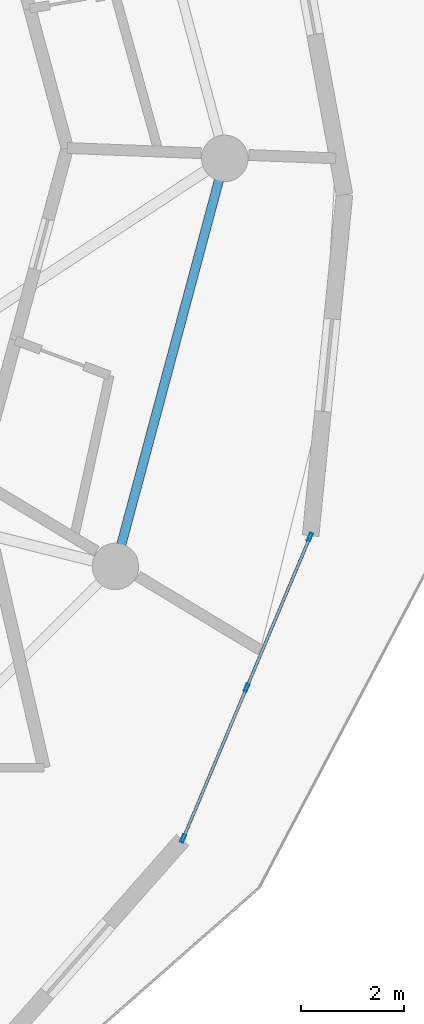
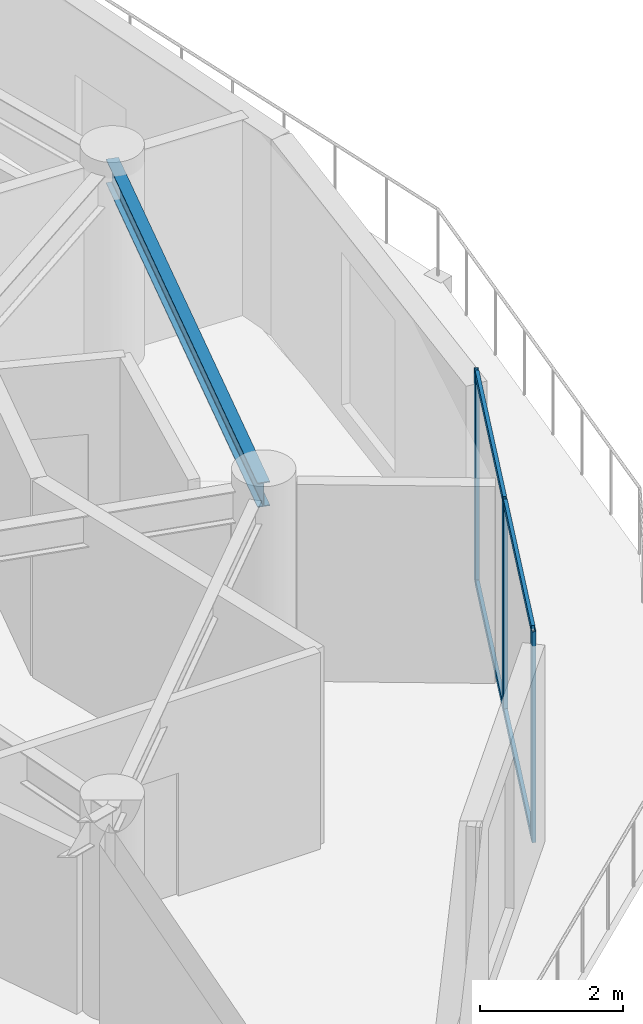
# One storey, part 11 of 21: 7 members, 1 beam, 1 element without a shape of its own.
"""IFC4 building model written with IfcOpenShell, lengths in metres."""

from ifc_helpers import new_model, si_unit, direction, frame, origin, origin_2d, place, context, subcontext, project, spatial, hollow_rectangle, i_section, extrude, source, transform, mapped, material, layer, layer_set, material_profile, profile_set, type_object, element, aggregate, save


model = new_model("IFC4")

# Units and contexts
model_context = context("Model", 3, precision=1e-05, world=origin(), true_north=direction((0.0, 1.0)))
body_context = subcontext(model_context, "Body", "Model", "MODEL_VIEW")
ifc_project = project(units=[si_unit("LENGTHUNIT", "METRE"), si_unit("AREAUNIT", "SQUARE_METRE"), si_unit("VOLUMEUNIT", "CUBIC_METRE"), si_unit("PLANEANGLEUNIT", "RADIAN"), si_unit("MASSUNIT", "GRAM", prefix="KILO")], contexts=[model_context])

# Site, building, storey
site_placement = place(None, origin())
site = spatial("IfcSite", under=ifc_project, at=site_placement, CompositionType="ELEMENT")
building_placement = place(site_placement, origin())
building = spatial("IfcBuilding", under=site, at=building_placement, Name="Solvirekh Grand Hotel", CompositionType="ELEMENT")
storey_placement = place(building_placement, frame((0.0, 0.0, 223.60009765625)))
storey = spatial("IfcBuildingStorey", under=building, at=storey_placement, Name="L58", CompositionType="ELEMENT", Elevation=223.60009765625)

# Beam
ifc_material_1 = material(Name="Steel S355", Category="steel")
ifc_material_profile_1 = material_profile(ifc_material_1, i_section(OverallWidth=0.180908203125, OverallDepth=0.4169921875, WebThickness=0.010009765625, FlangeThickness=0.01611328125, FilletRadius=0.011962890625, at=origin_2d()), Name="W410X85")
ifc_profile_set_1 = profile_set([ifc_material_profile_1], Name="Steel S355")
beam_type = type_object("IfcBeamType", Name="Spandrel_Ring_W410", PredefinedType="SPANDREL", material=ifc_profile_set_1)
beam_placement = place(storey_placement, frame((13.68310546875, -7.89990234375, 3.15185546875), z_axis=(0.258838541915, 0.965920601923, 0.0), x_axis=(-0.965920601923, 0.258838541915, 0.0)))
element("IfcBeam", 1, at=beam_placement, inside=storey, type_object=beam_type, Name="L58 perimeter spandrel beam 12", PredefinedType="SPANDREL", context=body_context, shape_type="SweptSolid", body=[
    extrude(i_section(OverallWidth=0.180908203125, OverallDepth=0.4169921875, WebThickness=0.010009765625, FlangeThickness=0.01611328125, FilletRadius=0.011962890625, at=origin_2d()), origin(), (0.0, 0.0, 1.0), 8.1787109375),
])

# Curtain wall, members
ifc_material_2 = material(Name="Anodized Bronze Aluminium 6063-T6", Category="aluminium")
ifc_layer = layer(ifc_material_2, 0.159912109375)
ifc_layer_set = layer_set([ifc_layer], Name="Anodized Bronze Aluminium 6063-T6")
curtain_wall_type = type_object("IfcCurtainWallType", Name="CW_Sys4_HighZoneFlushBronzeCW", PredefinedType="NOTDEFINED", material=ifc_layer_set)
curtain_wall_placement = place(storey_placement, origin())
curtain_wall = element("IfcCurtainWall", 2, at=curtain_wall_placement, inside=storey, type_object=curtain_wall_type, Name="L58 unitised bronze-glass curtain wall CW-L58-C03", PredefinedType="NOTDEFINED")
ifc_material_profile_2 = material_profile(ifc_material_2, hollow_rectangle(XDim=0.054931640625, YDim=0.1201171875, WallThickness=0.00390625, at=origin_2d()), Name="ALU RHS 120X55X4")
ifc_profile_set_2 = profile_set([ifc_material_profile_2], Name="Anodized Bronze Aluminium 6063-T6")
member_type_1 = type_object("IfcMemberType", Name="CWTransom_Sys4", PredefinedType="USERDEFINED", material=ifc_profile_set_2)
shared_shape_1 = source(origin(), body_context, "Body", "SweptSolid", [
    extrude(hollow_rectangle(XDim=0.054931640625, YDim=0.1201171875, WallThickness=0.00390625, at=origin_2d()), origin(), (0.0, 0.0, 1.0), 3.1044921875),
])
member_1_placement = place(storey_placement, frame((15.00634765625, -13.138671875, 0.02734375), z_axis=(0.387846053154, 0.921724166469, 0.0), x_axis=(-0.921724166469, 0.387846053154, 0.0)))
member_1 = element("IfcMember", 3, at=member_1_placement, type_object=member_type_1, Name="U04 transom 1.1", ObjectType="TRANSOM", PredefinedType="USERDEFINED", context=body_context, shape_type="MappedRepresentation", body=[
    mapped(shared_shape_1, transform((0.0, 0.0, 0.0), x_axis=(1.0, 0.0, 0.0), y_axis=(0.0, 1.0, 0.0), z_axis=(0.0, 0.0, 1.0), scale=1.0)),
])
member_2_placement = place(storey_placement, frame((15.00634765625, -13.138671875, 3.572509765625), z_axis=(0.387846053154, 0.921724166469, 0.0), x_axis=(-0.921724166469, 0.387846053154, 0.0)))
member_2 = element("IfcMember", 4, at=member_2_placement, type_object=member_type_1, Name="U04 transom 1.2", ObjectType="TRANSOM", PredefinedType="USERDEFINED", context=body_context, shape_type="MappedRepresentation", body=[
    mapped(shared_shape_1, transform((0.0, 0.0, 0.0), x_axis=(1.0, 0.0, 0.0), y_axis=(0.0, 1.0, 0.0), z_axis=(0.0, 0.0, 1.0), scale=1.0)),
])
member_3_placement = place(storey_placement, frame((16.233642578125, -10.221923828125, 0.02734375), z_axis=(0.387846053154, 0.921724166469, 0.0), x_axis=(-0.921724166469, 0.387846053154, 0.0)))
member_3 = element("IfcMember", 5, at=member_3_placement, type_object=member_type_1, Name="U04 transom 2.1", ObjectType="TRANSOM", PredefinedType="USERDEFINED", context=body_context, shape_type="MappedRepresentation", body=[
    mapped(shared_shape_1, transform((0.0, 0.0, 0.0), x_axis=(1.0, 0.0, 0.0), y_axis=(0.0, 1.0, 0.0), z_axis=(0.0, 0.0, 1.0), scale=1.0)),
])
member_4_placement = place(storey_placement, frame((16.233642578125, -10.221923828125, 3.572509765625), z_axis=(0.387846053154, 0.921724166469, 0.0), x_axis=(-0.921724166469, 0.387846053154, 0.0)))
member_4 = element("IfcMember", 6, at=member_4_placement, type_object=member_type_1, Name="U04 transom 2.2", ObjectType="TRANSOM", PredefinedType="USERDEFINED", context=body_context, shape_type="MappedRepresentation", body=[
    mapped(shared_shape_1, transform((0.0, 0.0, 0.0), x_axis=(1.0, 0.0, 0.0), y_axis=(0.0, 1.0, 0.0), z_axis=(0.0, 0.0, 1.0), scale=1.0)),
])
ifc_material_profile_3 = material_profile(ifc_material_2, hollow_rectangle(XDim=0.06005859375, YDim=0.159912109375, WallThickness=0.0048828125, at=origin_2d()), Name="ALU RHS 160X60X5")
ifc_profile_set_3 = profile_set([ifc_material_profile_3], Name="Anodized Bronze Aluminium 6063-T6")
member_type_2 = type_object("IfcMemberType", Name="CWMullion_Sys4", PredefinedType="MULLION", material=ifc_profile_set_3)
shared_shape_2 = source(origin(), body_context, "Body", "SweptSolid", [
    extrude(hollow_rectangle(XDim=0.06005859375, YDim=0.159912109375, WallThickness=0.0048828125, at=origin_2d()), origin(), (0.0, 0.0, 1.0), 3.599853515625),
])
member_5_placement = place(storey_placement, frame((14.99462890625, -13.166259765625, 0.0), z_axis=(0.0, 0.0, 1.0), x_axis=(-0.921723736836, 0.387847074185, 0.0)))
member_5 = element("IfcMember", 7, at=member_5_placement, type_object=member_type_2, Name="U04 mullion 1", PredefinedType="MULLION", context=body_context, shape_type="MappedRepresentation", body=[
    mapped(shared_shape_2, transform((0.0, 0.0, 0.0), x_axis=(1.0, 0.0, 0.0), y_axis=(0.0, 1.0, 0.0), z_axis=(0.0, 0.0, 1.0), scale=1.0)),
])
member_6_placement = place(storey_placement, frame((16.221923828125, -10.24951171875, 0.0), z_axis=(0.0, 0.0, 1.0), x_axis=(-0.921723736836, 0.387847074185, 0.0)))
member_6 = element("IfcMember", 8, at=member_6_placement, type_object=member_type_2, Name="U04 mullion 2", PredefinedType="MULLION", context=body_context, shape_type="MappedRepresentation", body=[
    mapped(shared_shape_2, transform((0.0, 0.0, 0.0), x_axis=(1.0, 0.0, 0.0), y_axis=(0.0, 1.0, 0.0), z_axis=(0.0, 0.0, 1.0), scale=1.0)),
])
member_7_placement = place(storey_placement, frame((17.449462890625, -7.332763671875, 0.0), z_axis=(0.0, 0.0, 1.0), x_axis=(-0.921723736836, 0.387847074185, 0.0)))
member_7 = element("IfcMember", 9, at=member_7_placement, type_object=member_type_2, Name="U04 mullion 3", PredefinedType="MULLION", context=body_context, shape_type="MappedRepresentation", body=[
    mapped(shared_shape_2, transform((0.0, 0.0, 0.0), x_axis=(1.0, 0.0, 0.0), y_axis=(0.0, 1.0, 0.0), z_axis=(0.0, 0.0, 1.0), scale=1.0)),
])
aggregate(curtain_wall, [member_5, member_6, member_7, member_1, member_2, member_3, member_4])

save(model, "model.ifc")
